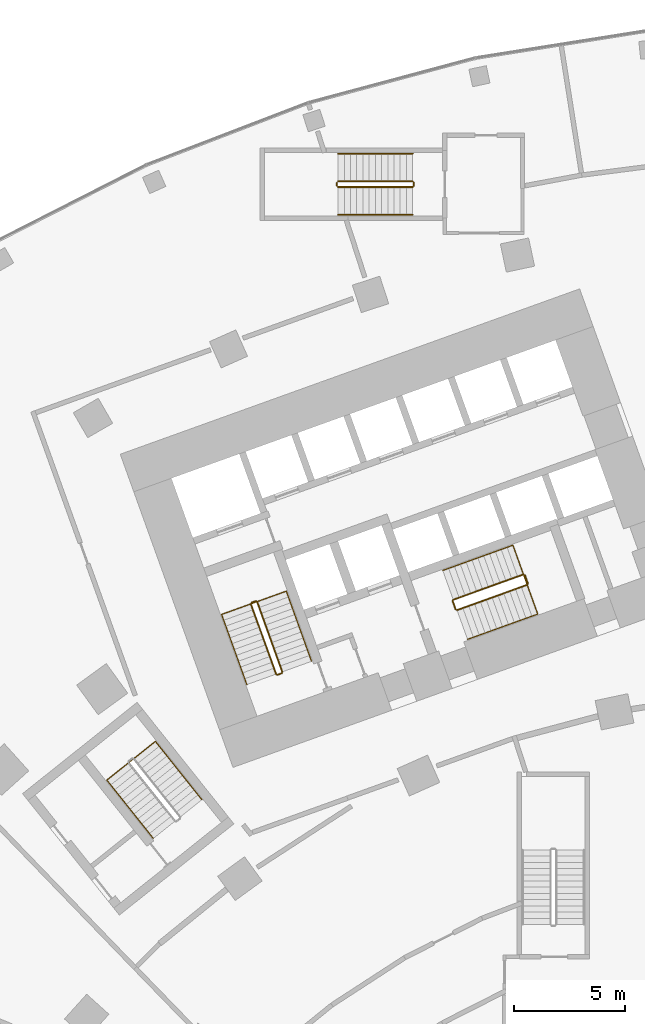
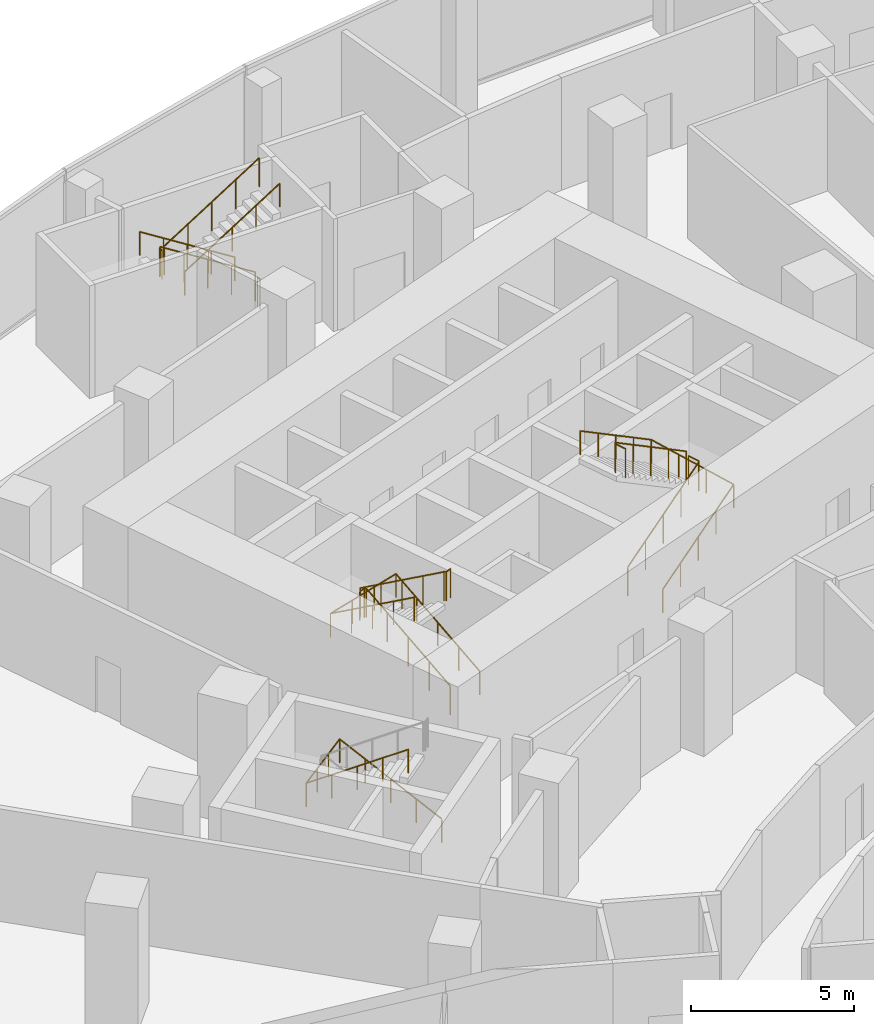
# One storey, part 34 of 40: 13 railings.
"""IFC4 building model written with IfcOpenShell, lengths in metres."""

from ifc_helpers import new_model, si_unit, direction, frame, origin, origin_2d, place, context, subcontext, project, spatial, circle, extrude, material, type_object, element, save


model = new_model("IFC4")

# Units and contexts
model_context = context("Model", 3, precision=1e-05, world=origin(), true_north=direction((0.0, 1.0)))
body_context = subcontext(model_context, "Body", "Model", "MODEL_VIEW")
ifc_project = project(units=[si_unit("LENGTHUNIT", "METRE"), si_unit("AREAUNIT", "SQUARE_METRE"), si_unit("VOLUMEUNIT", "CUBIC_METRE"), si_unit("PLANEANGLEUNIT", "RADIAN"), si_unit("MASSUNIT", "GRAM", prefix="KILO")], contexts=[model_context])

# Site, building, storey
site_placement = place(None, origin())
site = spatial("IfcSite", under=ifc_project, at=site_placement, CompositionType="ELEMENT")
building_placement = place(site_placement, origin())
building = spatial("IfcBuilding", under=site, at=building_placement, Name="Stone Belt Terrace Tower", CompositionType="ELEMENT")
storey_placement = place(building_placement, frame((0.0, 0.0, 7.0)))
storey = spatial("IfcBuildingStorey", under=building, at=storey_placement, Name="L01", CompositionType="ELEMENT", Elevation=7.0)

# Railings
ifc_material_1 = material(Name="Steel balustrade", Category="steel")
railing_type_1 = type_object("IfcRailingType", Name="Podium stair guard", PredefinedType="GUARDRAIL", material=ifc_material_1)
railing_1_placement = place(storey_placement, frame((-18.340087890625, 67.375, 0.177001953125)))
element("IfcRailing", 1, at=railing_1_placement, inside=storey, type_object=railing_type_1, Name="L01 PS7 stair guard 1", PredefinedType="GUARDRAIL", context=body_context, shape_type="SweptSolid", body=[
    extrude(circle(Radius=0.02392578125, at=origin_2d()), frame((0.0, 0.0, 1.076171875), z_axis=(-0.845372108799, 0.0, 0.534177870812), x_axis=(0.0, -1.0, 0.0)), (0.0, 0.0, 1.0), 3.974365234375),
    extrude(circle(Radius=0.02099609375, at=origin_2d()), origin(), (0.0, 0.0, 1.0), 1.052001953125),
    extrude(circle(Radius=0.02099609375, at=origin_2d()), frame((-0.83984375, 0.0, 0.53076171875)), (0.0, 0.0, 1.0), 1.052001953125),
    extrude(circle(Radius=0.02099609375, at=origin_2d()), frame((-1.679931640625, 0.0, 1.0615234375)), (0.0, 0.0, 1.0), 1.052001953125),
    extrude(circle(Radius=0.02099609375, at=origin_2d()), frame((-2.52001953125, 0.0, 1.59228515625)), (0.0, 0.0, 1.0), 1.052001953125),
    extrude(circle(Radius=0.02099609375, at=origin_2d()), frame((-3.35986328125, 0.0, 2.123046875)), (0.0, 0.0, 1.0), 1.052001953125),
])
railing_2_placement = place(storey_placement, frame((-21.75, 67.324951171875, 2.300048828125)))
element("IfcRailing", 2, at=railing_2_placement, inside=storey, type_object=railing_type_1, Name="L01 PS7 stair guard 2", PredefinedType="GUARDRAIL", context=body_context, shape_type="SweptSolid", body=[
    extrude(circle(Radius=0.02392578125, at=origin_2d()), frame((0.0, 0.0, 1.076171875), z_axis=(0.0, -1.0, 0.0), x_axis=(1.0, 0.0, 0.0)), (0.0, 0.0, 1.0), 0.14990234375),
    extrude(circle(Radius=0.02099609375, at=origin_2d()), origin(), (0.0, 0.0, 1.0), 1.052001953125),
    extrude(circle(Radius=0.02099609375, at=origin_2d()), frame((0.0, -0.14990234375, 0.0)), (0.0, 0.0, 1.0), 1.052001953125),
])
railing_3_placement = place(storey_placement, frame((-21.699951171875, 67.125, 2.476806640625)))
element("IfcRailing", 3, at=railing_3_placement, inside=storey, type_object=railing_type_1, Name="L01 PS7 stair guard 3", PredefinedType="GUARDRAIL", context=body_context, shape_type="SweptSolid", body=[
    extrude(circle(Radius=0.02392578125, at=origin_2d()), frame((0.0, 0.0, 1.076171875), z_axis=(0.845344368971, 0.0, 0.534221768416), x_axis=(0.0, 1.0, 0.0)), (0.0, 0.0, 1.0), 3.974609375),
    extrude(circle(Radius=0.02099609375, at=origin_2d()), origin(), (0.0, 0.0, 1.0), 1.052001953125),
    extrude(circle(Radius=0.02099609375, at=origin_2d()), frame((0.83984375, 0.0, 0.53076171875)), (0.0, 0.0, 1.0), 1.052001953125),
    extrude(circle(Radius=0.02099609375, at=origin_2d()), frame((1.679931640625, 0.0, 1.0615234375)), (0.0, 0.0, 1.0), 1.052001953125),
    extrude(circle(Radius=0.02099609375, at=origin_2d()), frame((2.52001953125, 0.0, 1.592529296875)), (0.0, 0.0, 1.0), 1.052001953125),
    extrude(circle(Radius=0.02099609375, at=origin_2d()), frame((3.35986328125, 0.0, 2.123291015625)), (0.0, 0.0, 1.0), 1.052001953125),
])
railing_4_placement = place(storey_placement, frame((-18.2900390625, 67.324951171875, 0.0)))
element("IfcRailing", 4, at=railing_4_placement, inside=storey, type_object=railing_type_1, Name="L01 PS7 stair guard 4", PredefinedType="GUARDRAIL", context=body_context, shape_type="SweptSolid", body=[
    extrude(circle(Radius=0.02392578125, at=origin_2d()), frame((0.0, 0.0, 1.076171875), z_axis=(0.0, -1.0, 0.0), x_axis=(1.0, 0.0, 0.0)), (0.0, 0.0, 1.0), 0.14990234375),
    extrude(circle(Radius=0.02099609375, at=origin_2d()), origin(), (0.0, 0.0, 1.0), 1.052001953125),
    extrude(circle(Radius=0.02099609375, at=origin_2d()), frame((0.0, -0.14990234375, 0.0)), (0.0, 0.0, 1.0), 1.052001953125),
])
ifc_material_2 = material(Name="Stainless steel handrail", Category="steel")
railing_type_2 = type_object("IfcRailingType", Name="Podium stair handrail", PredefinedType="HANDRAIL", material=ifc_material_2)
railing_5_placement = place(storey_placement, frame((-18.340087890625, 68.625, 0.177001953125)))
element("IfcRailing", 5, at=railing_5_placement, inside=storey, type_object=railing_type_2, Name="L01 PS7 stair handrail 1", PredefinedType="HANDRAIL", context=body_context, shape_type="SweptSolid", body=[
    extrude(circle(Radius=0.02392578125, at=origin_2d()), frame((0.0, 0.0, 0.8759765625), z_axis=(-0.845372108799, 0.0, 0.534177870812), x_axis=(0.0, -1.0, 0.0)), (0.0, 0.0, 1.0), 3.974365234375),
    extrude(circle(Radius=0.02099609375, at=origin_2d()), origin(), (0.0, 0.0, 1.0), 0.851806640625),
    extrude(circle(Radius=0.02099609375, at=origin_2d()), frame((-0.83984375, 0.0, 0.53076171875)), (0.0, 0.0, 1.0), 0.851806640625),
    extrude(circle(Radius=0.02099609375, at=origin_2d()), frame((-1.679931640625, 0.0, 1.0615234375)), (0.0, 0.0, 1.0), 0.851806640625),
    extrude(circle(Radius=0.02099609375, at=origin_2d()), frame((-2.52001953125, 0.0, 1.59228515625)), (0.0, 0.0, 1.0), 0.851806640625),
    extrude(circle(Radius=0.02099609375, at=origin_2d()), frame((-3.35986328125, 0.0, 2.123046875)), (0.0, 0.0, 1.0), 0.851806640625),
])
railing_6_placement = place(storey_placement, frame((-21.699951171875, 65.875, 2.476806640625)))
element("IfcRailing", 6, at=railing_6_placement, inside=storey, type_object=railing_type_2, Name="L01 PS7 stair handrail 2", PredefinedType="HANDRAIL", context=body_context, shape_type="SweptSolid", body=[
    extrude(circle(Radius=0.02392578125, at=origin_2d()), frame((0.0, 0.0, 0.8759765625), z_axis=(0.845344368971, 0.0, 0.534221768416), x_axis=(0.0, 1.0, 0.0)), (0.0, 0.0, 1.0), 3.974609375),
    extrude(circle(Radius=0.02099609375, at=origin_2d()), origin(), (0.0, 0.0, 1.0), 0.851806640625),
    extrude(circle(Radius=0.02099609375, at=origin_2d()), frame((0.83984375, 0.0, 0.53076171875)), (0.0, 0.0, 1.0), 0.851806640625),
    extrude(circle(Radius=0.02099609375, at=origin_2d()), frame((1.679931640625, 0.0, 1.0615234375)), (0.0, 0.0, 1.0), 0.851806640625),
    extrude(circle(Radius=0.02099609375, at=origin_2d()), frame((2.52001953125, 0.0, 1.592529296875)), (0.0, 0.0, 1.0), 0.851806640625),
    extrude(circle(Radius=0.02099609375, at=origin_2d()), frame((3.35986328125, 0.0, 2.123291015625)), (0.0, 0.0, 1.0), 0.851806640625),
])
ifc_material_3 = material(Name="Structural steel C345", Category="steel")
railing_type_3 = type_object("IfcRailingType", Name="Stair guard 1100", PredefinedType="GUARDRAIL", material=ifc_material_3)
railing_7_placement = place(storey_placement, frame((-24.2119140625, 45.276123046875, 0.177001953125)))
element("IfcRailing", 7, at=railing_7_placement, inside=storey, type_object=railing_type_3, Name="L01 ST1A stair guard 1", PredefinedType="GUARDRAIL", context=body_context, shape_type="SweptSolid", body=[
    extrude(circle(Radius=0.02392578125, at=origin_2d()), frame((0.0, 0.0, 1.076171875), z_axis=(-0.286311103083, 0.795417823175, 0.534168923494), x_axis=(-0.940902231577, -0.338678299589, 0.0)), (0.0, 0.0, 1.0), 3.974365234375),
    extrude(circle(Radius=0.02392578125, at=origin_2d()), frame((-1.137939453125, 3.161376953125, 3.19921875), z_axis=(-0.903878284585, 0.427789722475, 0.0), x_axis=(-0.427789722475, -0.903878284585, 0.0)), (0.0, 0.0, 1.0), 0.07080078125),
    extrude(circle(Radius=0.02392578125, at=origin_2d()), frame((-1.201904296875, 3.191650390625, 3.19921875), z_axis=(-0.940575576748, -0.339584429008, 0.0), x_axis=(0.339584429008, -0.940575576748, 0.0)), (0.0, 0.0, 1.0), 0.199951171875),
    extrude(circle(Radius=0.02099609375, at=origin_2d()), origin(), (0.0, 0.0, 1.0), 1.052001953125),
    extrude(circle(Radius=0.02099609375, at=origin_2d()), frame((-0.284423828125, 0.790283203125, 0.53076171875)), (0.0, 0.0, 1.0), 1.052001953125),
    extrude(circle(Radius=0.02099609375, at=origin_2d()), frame((-0.56884765625, 1.58056640625, 1.0615234375)), (0.0, 0.0, 1.0), 1.052001953125),
    extrude(circle(Radius=0.02099609375, at=origin_2d()), frame((-0.853515625, 2.37109375, 1.59228515625)), (0.0, 0.0, 1.0), 1.052001953125),
    extrude(circle(Radius=0.02099609375, at=origin_2d()), frame((-1.137939453125, 3.161376953125, 2.123046875)), (0.0, 0.0, 1.0), 1.052001953125),
    extrude(circle(Radius=0.02099609375, at=origin_2d()), frame((-1.201904296875, 3.191650390625, 2.123046875)), (0.0, 0.0, 1.0), 1.052001953125),
    extrude(circle(Radius=0.02099609375, at=origin_2d()), frame((-1.389892578125, 3.123779296875, 2.123046875)), (0.0, 0.0, 1.0), 1.052001953125),
])
railing_8_placement = place(storey_placement, frame((-25.632080078125, 48.3359375, 2.476806640625)))
element("IfcRailing", 8, at=railing_8_placement, inside=storey, type_object=railing_type_3, Name="L01 ST1A stair guard 2", PredefinedType="GUARDRAIL", context=body_context, shape_type="SweptSolid", body=[
    extrude(circle(Radius=0.02392578125, at=origin_2d()), frame((0.0, 0.0, 1.076171875), z_axis=(0.286301708457, -0.795391723409, 0.53421282095), x_axis=(0.940902231577, 0.338678299589, 0.0)), (0.0, 0.0, 1.0), 3.974609375),
    extrude(circle(Radius=0.02392578125, at=origin_2d()), frame((1.137939453125, -3.161376953125, 3.19921875), z_axis=(0.903878284585, -0.427789722475, 0.0), x_axis=(0.427789722475, 0.903878284585, 0.0)), (0.0, 0.0, 1.0), 0.07080078125),
    extrude(circle(Radius=0.02392578125, at=origin_2d()), frame((1.201904296875, -3.191650390625, 3.19921875), z_axis=(0.940575576748, 0.339584429008, 0.0), x_axis=(-0.339584429008, 0.940575576748, 0.0)), (0.0, 0.0, 1.0), 0.199951171875),
    extrude(circle(Radius=0.02099609375, at=origin_2d()), origin(), (0.0, 0.0, 1.0), 1.052001953125),
    extrude(circle(Radius=0.02099609375, at=origin_2d()), frame((0.284423828125, -0.790283203125, 0.53076171875)), (0.0, 0.0, 1.0), 1.052001953125),
    extrude(circle(Radius=0.02099609375, at=origin_2d()), frame((0.56884765625, -1.58056640625, 1.0615234375)), (0.0, 0.0, 1.0), 1.052001953125),
    extrude(circle(Radius=0.02099609375, at=origin_2d()), frame((0.853515625, -2.37109375, 1.592529296875)), (0.0, 0.0, 1.0), 1.052001953125),
    extrude(circle(Radius=0.02099609375, at=origin_2d()), frame((1.137939453125, -3.161376953125, 2.123291015625)), (0.0, 0.0, 1.0), 1.052001953125),
    extrude(circle(Radius=0.02099609375, at=origin_2d()), frame((1.201904296875, -3.191650390625, 2.123291015625)), (0.0, 0.0, 1.0), 1.052001953125),
    extrude(circle(Radius=0.02099609375, at=origin_2d()), frame((1.389892578125, -3.123779296875, 2.123291015625)), (0.0, 0.0, 1.0), 1.052001953125),
])
railing_9_placement = place(storey_placement, frame((-16.33837890625, 48.056640625, 0.177001953125)))
element("IfcRailing", 9, at=railing_9_placement, inside=storey, type_object=railing_type_3, Name="L01 ST2A stair guard 1", PredefinedType="GUARDRAIL", context=body_context, shape_type="SweptSolid", body=[
    extrude(circle(Radius=0.02392578125, at=origin_2d()), frame((0.0, 0.0, 1.076171875), z_axis=(0.79545437138, 0.286240723601, 0.53415221726), x_axis=(-0.338590819614, 0.940933715451, 0.0)), (0.0, 0.0, 1.0), 3.974609375),
    extrude(circle(Radius=0.02392578125, at=origin_2d()), frame((3.16162109375, 1.1376953125, 3.19921875), z_axis=(0.424964916, 0.905209821074, 0.0), x_axis=(-0.905209821074, 0.424964916, 0.0)), (0.0, 0.0, 1.0), 0.070556640625),
    extrude(circle(Radius=0.02392578125, at=origin_2d()), frame((3.191650390625, 1.20166015625, 3.19921875), z_axis=(-0.338654645739, 0.940910745459, 0.0), x_axis=(-0.940910745459, -0.338654645739, 0.0)), (0.0, 0.0, 1.0), 0.400146484375),
    extrude(circle(Radius=0.02099609375, at=origin_2d()), origin(), (0.0, 0.0, 1.0), 1.052001953125),
    extrude(circle(Radius=0.02099609375, at=origin_2d()), frame((0.79052734375, 0.284423828125, 0.53076171875)), (0.0, 0.0, 1.0), 1.052001953125),
    extrude(circle(Radius=0.02099609375, at=origin_2d()), frame((1.580810546875, 0.56884765625, 1.0615234375)), (0.0, 0.0, 1.0), 1.052001953125),
    extrude(circle(Radius=0.02099609375, at=origin_2d()), frame((2.37109375, 0.853271484375, 1.59228515625)), (0.0, 0.0, 1.0), 1.052001953125),
    extrude(circle(Radius=0.02099609375, at=origin_2d()), frame((3.16162109375, 1.1376953125, 2.123046875)), (0.0, 0.0, 1.0), 1.052001953125),
    extrude(circle(Radius=0.02099609375, at=origin_2d()), frame((3.191650390625, 1.20166015625, 2.123046875)), (0.0, 0.0, 1.0), 1.052001953125),
    extrude(circle(Radius=0.02099609375, at=origin_2d()), frame((3.05615234375, 1.578125, 2.123046875)), (0.0, 0.0, 1.0), 1.052001953125),
])
railing_10_placement = place(storey_placement, frame((-13.34619140625, 49.664794921875, 2.476806640625)))
element("IfcRailing", 10, at=railing_10_placement, inside=storey, type_object=railing_type_3, Name="L01 ST2A stair guard 2", PredefinedType="GUARDRAIL", context=body_context, shape_type="SweptSolid", body=[
    extrude(circle(Radius=0.02392578125, at=origin_2d()), frame((0.0, 0.0, 1.076171875), z_axis=(-0.795405710091, -0.286245316937, 0.534222214894), x_axis=(0.338613969627, -0.9409253847, 0.0)), (0.0, 0.0, 1.0), 3.974609375),
    extrude(circle(Radius=0.02392578125, at=origin_2d()), frame((-3.161376953125, -1.1376953125, 3.19921875), z_axis=(-0.427789722475, -0.903878284585, 0.0), x_axis=(0.903878284585, -0.427789722475, 0.0)), (0.0, 0.0, 1.0), 0.07080078125),
    extrude(circle(Radius=0.02392578125, at=origin_2d()), frame((-3.191650390625, -1.20166015625, 3.19921875), z_axis=(0.338654645739, -0.940910745459, 0.0), x_axis=(0.940910745459, 0.338654645739, 0.0)), (0.0, 0.0, 1.0), 0.400146484375),
    extrude(circle(Radius=0.02099609375, at=origin_2d()), origin(), (0.0, 0.0, 1.0), 1.052001953125),
    extrude(circle(Radius=0.02099609375, at=origin_2d()), frame((-0.790283203125, -0.284423828125, 0.53076171875)), (0.0, 0.0, 1.0), 1.052001953125),
    extrude(circle(Radius=0.02099609375, at=origin_2d()), frame((-1.58056640625, -0.56884765625, 1.0615234375)), (0.0, 0.0, 1.0), 1.052001953125),
    extrude(circle(Radius=0.02099609375, at=origin_2d()), frame((-2.37109375, -0.853271484375, 1.592529296875)), (0.0, 0.0, 1.0), 1.052001953125),
    extrude(circle(Radius=0.02099609375, at=origin_2d()), frame((-3.161376953125, -1.1376953125, 2.123291015625)), (0.0, 0.0, 1.0), 1.052001953125),
    extrude(circle(Radius=0.02099609375, at=origin_2d()), frame((-3.191650390625, -1.20166015625, 2.123291015625)), (0.0, 0.0, 1.0), 1.052001953125),
    extrude(circle(Radius=0.02099609375, at=origin_2d()), frame((-3.05615234375, -1.578125, 2.123291015625)), (0.0, 0.0, 1.0), 1.052001953125),
])
railing_type_4 = type_object("IfcRailingType", Name="Stair handrail 900", PredefinedType="HANDRAIL", material=ifc_material_3)
railing_11_placement = place(storey_placement, frame((-22.894775390625, 45.750244140625, 0.177001953125)))
element("IfcRailing", 11, at=railing_11_placement, inside=storey, type_object=railing_type_4, Name="L01 ST1A stair handrail 1", PredefinedType="HANDRAIL", context=body_context, shape_type="SweptSolid", body=[
    extrude(circle(Radius=0.02392578125, at=origin_2d()), frame((0.0, 0.0, 0.8759765625), z_axis=(-0.286254710043, 0.795431811234, 0.534178317283), x_axis=(-0.9409253847, -0.338613969627, 0.0)), (0.0, 0.0, 1.0), 3.974365234375),
    extrude(circle(Radius=0.02392578125, at=origin_2d()), frame((-1.1376953125, 3.161376953125, 2.9990234375), z_axis=(-0.939384633507, -0.338106129077, 0.056927636617), x_axis=(0.338655323994, -0.940910501339, 0.0)), (0.0, 0.0, 1.0), 3.10498046875),
    extrude(circle(Radius=0.02392578125, at=origin_2d()), frame((-4.054443359375, 2.111572265625, 3.17578125), z_axis=(0.286245316937, -0.795405710091, 0.534222214894), x_axis=(0.9409253847, 0.338613969627, 0.0)), (0.0, 0.0, 1.0), 3.974609375),
    extrude(circle(Radius=0.02099609375, at=origin_2d()), origin(), (0.0, 0.0, 1.0), 0.851806640625),
    extrude(circle(Radius=0.02099609375, at=origin_2d()), frame((-0.284423828125, 0.790283203125, 0.53076171875)), (0.0, 0.0, 1.0), 0.851806640625),
    extrude(circle(Radius=0.02099609375, at=origin_2d()), frame((-0.56884765625, 1.58056640625, 1.0615234375)), (0.0, 0.0, 1.0), 0.851806640625),
    extrude(circle(Radius=0.02099609375, at=origin_2d()), frame((-0.853271484375, 2.37109375, 1.59228515625)), (0.0, 0.0, 1.0), 0.851806640625),
    extrude(circle(Radius=0.02099609375, at=origin_2d()), frame((-1.1376953125, 3.161376953125, 2.123046875)), (0.0, 0.0, 1.0), 0.851806640625),
    extrude(circle(Radius=0.02099609375, at=origin_2d()), frame((-2.10986328125, 2.8115234375, 2.181884765625)), (0.0, 0.0, 1.0), 0.851806640625),
    extrude(circle(Radius=0.02099609375, at=origin_2d()), frame((-3.082275390625, 2.46142578125, 2.240966796875)), (0.0, 0.0, 1.0), 0.851806640625),
    extrude(circle(Radius=0.02099609375, at=origin_2d()), frame((-4.054443359375, 2.111572265625, 2.2998046875)), (0.0, 0.0, 1.0), 0.851806640625),
    extrude(circle(Radius=0.02099609375, at=origin_2d()), frame((-3.77001953125, 1.3212890625, 2.83056640625)), (0.0, 0.0, 1.0), 0.851806640625),
    extrude(circle(Radius=0.02099609375, at=origin_2d()), frame((-3.485595703125, 0.53076171875, 3.361328125)), (0.0, 0.0, 1.0), 0.851806640625),
    extrude(circle(Radius=0.02099609375, at=origin_2d()), frame((-3.201171875, -0.259521484375, 3.892333984375)), (0.0, 0.0, 1.0), 0.851806640625),
    extrude(circle(Radius=0.02099609375, at=origin_2d()), frame((-2.916748046875, -1.0498046875, 4.423095703125)), (0.0, 0.0, 1.0), 0.851806640625),
])
railing_12_placement = place(storey_placement, frame((-15.8642578125, 46.7392578125, 0.177001953125)))
element("IfcRailing", 12, at=railing_12_placement, inside=storey, type_object=railing_type_4, Name="L01 ST2A stair handrail 1", PredefinedType="HANDRAIL", context=body_context, shape_type="SweptSolid", body=[
    extrude(circle(Radius=0.02392578125, at=origin_2d()), frame((0.0, 0.0, 0.8759765625), z_axis=(0.795431811234, 0.286254710043, 0.534178317283), x_axis=(-0.338613969627, 0.9409253847, 0.0)), (0.0, 0.0, 1.0), 3.974365234375),
    extrude(circle(Radius=0.02392578125, at=origin_2d()), frame((3.161376953125, 1.1376953125, 2.9990234375), z_axis=(-0.338114333932, 0.93958405359, 0.053483674408), x_axis=(-0.940930785231, -0.338598962497, 0.0)), (0.0, 0.0, 1.0), 3.304931640625),
    extrude(circle(Radius=0.02392578125, at=origin_2d()), frame((2.0439453125, 4.242919921875, 3.17578125), z_axis=(-0.795391723409, -0.286301708457, 0.53421282095), x_axis=(0.338678299589, -0.940902231577, 0.0)), (0.0, 0.0, 1.0), 3.974609375),
    extrude(circle(Radius=0.02099609375, at=origin_2d()), origin(), (0.0, 0.0, 1.0), 0.851806640625),
    extrude(circle(Radius=0.02099609375, at=origin_2d()), frame((0.790283203125, 0.284423828125, 0.53076171875)), (0.0, 0.0, 1.0), 0.851806640625),
    extrude(circle(Radius=0.02099609375, at=origin_2d()), frame((1.58056640625, 0.56884765625, 1.0615234375)), (0.0, 0.0, 1.0), 0.851806640625),
    extrude(circle(Radius=0.02099609375, at=origin_2d()), frame((2.37109375, 0.853271484375, 1.59228515625)), (0.0, 0.0, 1.0), 0.851806640625),
    extrude(circle(Radius=0.02099609375, at=origin_2d()), frame((3.161376953125, 1.1376953125, 2.123046875)), (0.0, 0.0, 1.0), 0.851806640625),
    extrude(circle(Radius=0.02099609375, at=origin_2d()), frame((2.788818359375, 2.1728515625, 2.181884765625)), (0.0, 0.0, 1.0), 0.851806640625),
    extrude(circle(Radius=0.02099609375, at=origin_2d()), frame((2.41650390625, 3.207763671875, 2.240966796875)), (0.0, 0.0, 1.0), 0.851806640625),
    extrude(circle(Radius=0.02099609375, at=origin_2d()), frame((2.0439453125, 4.242919921875, 2.2998046875)), (0.0, 0.0, 1.0), 0.851806640625),
    extrude(circle(Radius=0.02099609375, at=origin_2d()), frame((1.253662109375, 3.95849609375, 2.83056640625)), (0.0, 0.0, 1.0), 0.851806640625),
    extrude(circle(Radius=0.02099609375, at=origin_2d()), frame((0.46337890625, 3.673828125, 3.361328125)), (0.0, 0.0, 1.0), 0.851806640625),
    extrude(circle(Radius=0.02099609375, at=origin_2d()), frame((-0.3271484375, 3.389404296875, 3.892333984375)), (0.0, 0.0, 1.0), 0.851806640625),
    extrude(circle(Radius=0.02099609375, at=origin_2d()), frame((-1.117431640625, 3.10498046875, 4.423095703125)), (0.0, 0.0, 1.0), 0.851806640625),
])
railing_13_placement = place(storey_placement, frame((-27.836669921875, 39.513427734375, 0.177001953125)))
element("IfcRailing", 13, at=railing_13_placement, inside=storey, type_object=railing_type_4, Name="L01 ST3A stair handrail 1", PredefinedType="HANDRAIL", context=body_context, shape_type="SweptSolid", body=[
    extrude(circle(Radius=0.02392578125, at=origin_2d()), frame((0.0, 0.0, 0.8759765625), z_axis=(-0.52674341644, 0.661208878666, 0.534176180684), x_axis=(-0.782150293907, -0.623089815148, 0.0)), (0.0, 0.0, 1.0), 3.974365234375),
    extrude(circle(Radius=0.02392578125, at=origin_2d()), frame((-2.093505859375, 2.6279296875, 2.9990234375), z_axis=(-0.780589303239, -0.621860776025, 0.06300408646), x_axis=(0.623098705543, -0.782143211408, 0.0)), (0.0, 0.0, 1.0), 2.805419921875),
    extrude(circle(Radius=0.02392578125, at=origin_2d()), frame((-4.283447265625, 0.88330078125, 3.17578125), z_axis=(0.526726132123, -0.661187182061, 0.53422007826), x_axis=(0.782150293907, 0.623089815148, 0.0)), (0.0, 0.0, 1.0), 3.974609375),
    extrude(circle(Radius=0.02099609375, at=origin_2d()), origin(), (0.0, 0.0, 1.0), 0.851806640625),
    extrude(circle(Radius=0.02099609375, at=origin_2d()), frame((-0.5234375, 0.656982421875, 0.53076171875)), (0.0, 0.0, 1.0), 0.851806640625),
    extrude(circle(Radius=0.02099609375, at=origin_2d()), frame((-1.046875, 1.31396484375, 1.0615234375)), (0.0, 0.0, 1.0), 0.851806640625),
    extrude(circle(Radius=0.02099609375, at=origin_2d()), frame((-1.570068359375, 1.970947265625, 1.59228515625)), (0.0, 0.0, 1.0), 0.851806640625),
    extrude(circle(Radius=0.02099609375, at=origin_2d()), frame((-2.093505859375, 2.6279296875, 2.123046875)), (0.0, 0.0, 1.0), 0.851806640625),
    extrude(circle(Radius=0.02099609375, at=origin_2d()), frame((-2.823486328125, 2.04638671875, 2.181884765625)), (0.0, 0.0, 1.0), 0.851806640625),
    extrude(circle(Radius=0.02099609375, at=origin_2d()), frame((-3.553466796875, 1.46484375, 2.240966796875)), (0.0, 0.0, 1.0), 0.851806640625),
    extrude(circle(Radius=0.02099609375, at=origin_2d()), frame((-4.283447265625, 0.88330078125, 2.2998046875)), (0.0, 0.0, 1.0), 0.851806640625),
    extrude(circle(Radius=0.02099609375, at=origin_2d()), frame((-3.760009765625, 0.226318359375, 2.83056640625)), (0.0, 0.0, 1.0), 0.851806640625),
    extrude(circle(Radius=0.02099609375, at=origin_2d()), frame((-3.23681640625, -0.4306640625, 3.361328125)), (0.0, 0.0, 1.0), 0.851806640625),
    extrude(circle(Radius=0.02099609375, at=origin_2d()), frame((-2.71337890625, -1.087646484375, 3.892333984375)), (0.0, 0.0, 1.0), 0.851806640625),
    extrude(circle(Radius=0.02099609375, at=origin_2d()), frame((-2.18994140625, -1.74462890625, 4.423095703125)), (0.0, 0.0, 1.0), 0.851806640625),
])

save(model, "model.ifc")
